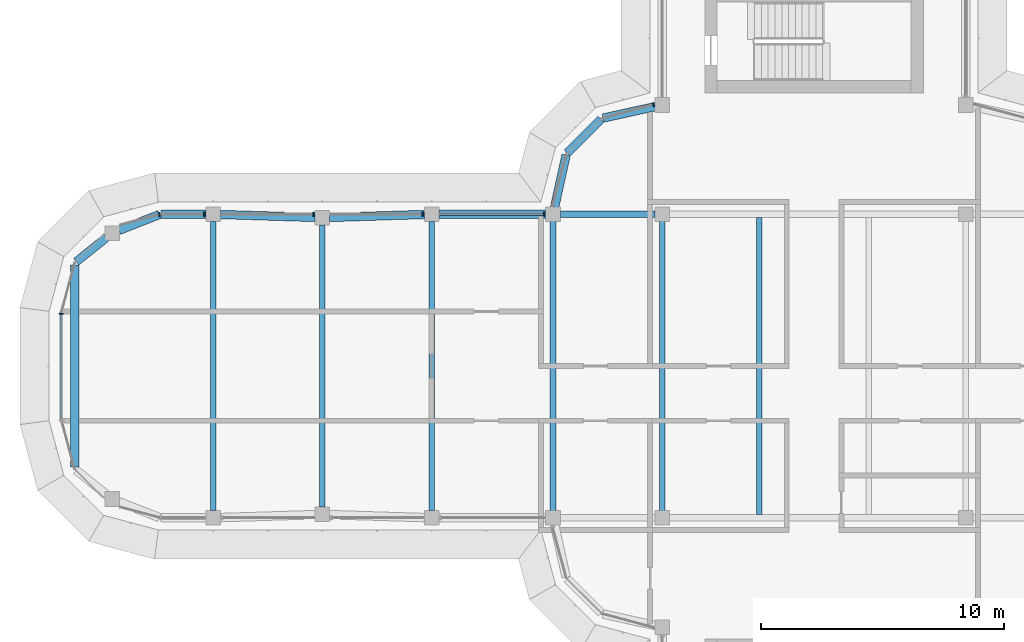
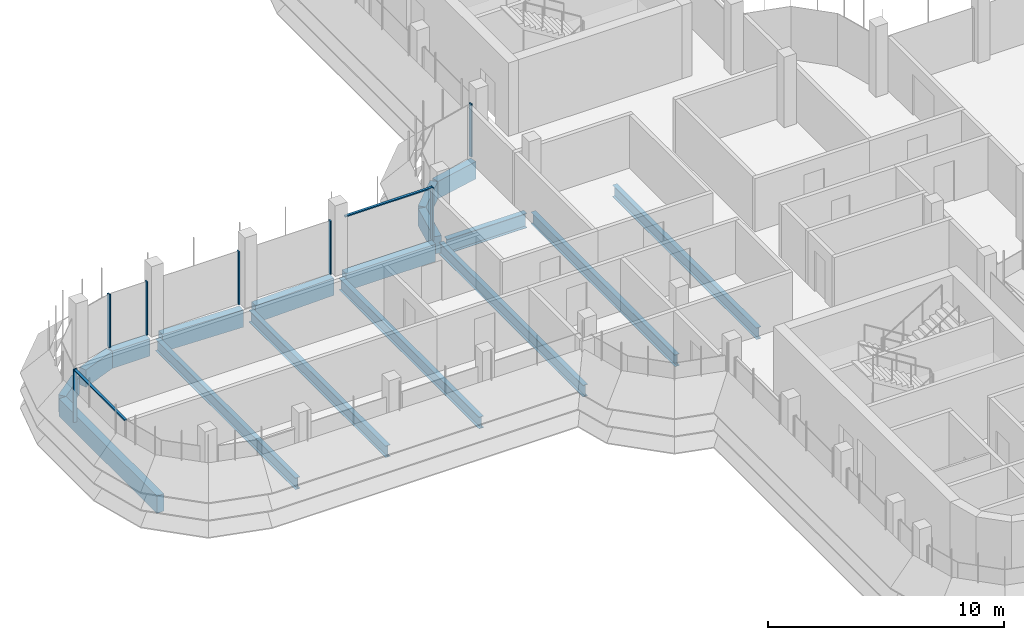
# One storey, part 6 of 19: 17 beams, 9 members, 4 elements without a shape of their own.
"""IFC4 building model written with IfcOpenShell, lengths in metres."""

from ifc_helpers import new_model, si_unit, direction, frame, origin, origin_2d, place, context, subcontext, project, spatial, polyline, rectangle, i_section, outline, extrude, source, transform, mapped, material, material_profile, profile_set, type_object, element, aggregate, save


model = new_model("IFC4")

# Units and contexts
model_context = context("Model", 3, precision=1e-05, world=origin(), true_north=direction((0.0, 1.0)))
body_context = subcontext(model_context, "Body", "Model", "MODEL_VIEW")
ifc_project = project(units=[si_unit("LENGTHUNIT", "METRE"), si_unit("AREAUNIT", "SQUARE_METRE"), si_unit("VOLUMEUNIT", "CUBIC_METRE"), si_unit("PLANEANGLEUNIT", "RADIAN"), si_unit("MASSUNIT", "GRAM", prefix="KILO")], contexts=[model_context])

# Site, building, storey
site_placement = place(None, origin())
site = spatial("IfcSite", under=ifc_project, at=site_placement, CompositionType="ELEMENT")
building_placement = place(site_placement, origin())
building = spatial("IfcBuilding", under=site, at=building_placement, Name="Zarbagh Exchange Tower", CompositionType="ELEMENT")
storey_placement = place(building_placement, frame((0.0, 0.0, 276.39990234375)))
storey = spatial("IfcBuildingStorey", under=building, at=storey_placement, Name="L68", CompositionType="ELEMENT", Elevation=276.39990234375)

# Beams
ifc_material_1 = material(Name="Steel ASTM A992 Gr 50", Category="steel")
ifc_material_profile_1 = material_profile(ifc_material_1, i_section(OverallWidth=0.228271484375, OverallDepth=0.607177734375, WebThickness=0.01123046875, FlangeThickness=0.017333984375, at=origin_2d()), Name="W24X76")
ifc_profile_set_1 = profile_set([ifc_material_profile_1], Name="Steel ASTM A992 Gr 50")
beam_type_1 = type_object("IfcBeamType", Name="Floor beam W24X76", PredefinedType="BEAM", material=ifc_profile_set_1)
for number, where, z_axis, x_axis, name in (
    (1, (-10.75, -6.11669921875, -0.453369140625), (0.0, 1.0, 0.0), (-1.0, 0.0, 0.0), "Steel floor beam"),
    (2, (-6.25, -6.11669921875, -0.453369140625), (0.0, 1.0, 0.0), (-1.0, 0.0, 0.0), "Steel floor beam"),
    (3, (-2.25, -6.11669921875, -0.453369140625), (0.0, 1.0, 0.0), (-1.0, 0.0, 0.0), "Steel floor beam"),
):
    element("IfcBeam", number, at=place(storey_placement, frame(where, z_axis=z_axis, x_axis=x_axis)), inside=storey, type_object=beam_type_1, Name=name, PredefinedType="BEAM", context=body_context, shape_type="SweptSolid", body=[
        extrude(i_section(OverallWidth=0.228271484375, OverallDepth=0.607177734375, WebThickness=0.01123046875, FlangeThickness=0.017333984375, at=origin_2d()), origin(), (0.0, 0.0, 1.0), 12.2333984375),
    ])
beam_1_placement = place(storey_placement, frame((-15.75, -5.949951171875, -0.453369140625), z_axis=(0.0, 1.0, 0.0), x_axis=(-1.0, 0.0, 0.0)))
element("IfcBeam", 4, at=beam_1_placement, inside=storey, type_object=beam_type_1, Name="Steel floor beam", PredefinedType="BEAM", context=body_context, shape_type="SweptSolid", body=[
    extrude(i_section(OverallWidth=0.228271484375, OverallDepth=0.607177734375, WebThickness=0.01123046875, FlangeThickness=0.017333984375, at=origin_2d()), origin(), (0.0, 0.0, 1.0), 11.89990234375),
])
beam_2_placement = place(storey_placement, frame((-20.25, -5.81005859375, -0.453369140625), z_axis=(0.0, 1.0, 0.0), x_axis=(-1.0, 0.0, 0.0)))
element("IfcBeam", 5, at=beam_2_placement, inside=storey, type_object=beam_type_1, Name="Steel floor beam", PredefinedType="BEAM", context=body_context, shape_type="SweptSolid", body=[
    extrude(i_section(OverallWidth=0.228271484375, OverallDepth=0.607177734375, WebThickness=0.01123046875, FlangeThickness=0.017333984375, at=origin_2d()), origin(), (0.0, 0.0, 1.0), 11.6201171875),
])
beam_3_placement = place(storey_placement, frame((-24.75, -5.949951171875, -0.453369140625), z_axis=(0.0, 1.0, 0.0), x_axis=(-1.0, 0.0, 0.0)))
element("IfcBeam", 6, at=beam_3_placement, inside=storey, type_object=beam_type_1, Name="Steel floor beam", PredefinedType="BEAM", context=body_context, shape_type="SweptSolid", body=[
    extrude(i_section(OverallWidth=0.228271484375, OverallDepth=0.607177734375, WebThickness=0.01123046875, FlangeThickness=0.017333984375, at=origin_2d()), origin(), (0.0, 0.0, 1.0), 11.89990234375),
])
ifc_material_profile_2 = material_profile(ifc_material_1, i_section(OverallWidth=0.2666015625, OverallDepth=0.7568359375, WebThickness=0.013916015625, FlangeThickness=0.019287109375, at=origin_2d()), Name="W30X108")
ifc_profile_set_2 = profile_set([ifc_material_profile_2], Name="Steel ASTM A992 Gr 50")
beam_type_2 = type_object("IfcBeamType", Name="Floor girder W30X108", PredefinedType="BEAM", material=ifc_profile_set_2)
beam_4_placement = place(storey_placement, frame((-10.449951171875, 6.25, -0.5283203125), z_axis=(1.0, 0.0, 0.0), x_axis=(0.0, 1.0, 0.0)))
element("IfcBeam", 7, at=beam_4_placement, inside=storey, type_object=beam_type_2, Name="Steel girder", PredefinedType="BEAM", context=body_context, shape_type="SweptSolid", body=[
    extrude(i_section(OverallWidth=0.2666015625, OverallDepth=0.7568359375, WebThickness=0.013916015625, FlangeThickness=0.019287109375, at=origin_2d()), origin(), (0.0, 0.0, 1.0), 3.89990234375),
])
ifc_material_2 = material(Name="Concrete C40/50", Category="concrete")
ifc_material_profile_3 = material_profile(ifc_material_2, rectangle(XDim=0.35009765625, YDim=0.89990234375, at=origin_2d()), Name="RC spandrel beam 350 x 900 C40/50")
ifc_profile_set_3 = profile_set([ifc_material_profile_3], Name="Concrete C40/50")
beam_type_3 = type_object("IfcBeamType", Name="RC spandrel beam 350 x 900 C40/50", PredefinedType="SPANDREL", material=ifc_profile_set_3)
beam_5_placement = place(storey_placement, frame((-30.44873046875, -4.156982421875, -0.599853515625), z_axis=(0.0, 1.0, 0.0), x_axis=(-1.0, 0.0, 0.0)))
element("IfcBeam", 8, at=beam_5_placement, inside=storey, type_object=beam_type_3, Name="RC spandrel beam", PredefinedType="SPANDREL", context=body_context, shape_type="SweptSolid", body=[
    extrude(rectangle(XDim=0.35009765625, YDim=0.89990234375, at=origin_2d()), origin(), (0.0, 0.0, 1.0), 8.31396484375),
])
beam_6_placement = place(storey_placement, frame((-30.38330078125, 4.293701171875, -0.599853515625), z_axis=(0.780584122498, 0.625050740104, 0.0), x_axis=(-0.625050740104, 0.780584122498, 0.0)))
element("IfcBeam", 9, at=beam_6_placement, inside=storey, type_object=beam_type_3, Name="RC spandrel beam", PredefinedType="SPANDREL", context=body_context, shape_type="SweptSolid", body=[
    extrude(rectangle(XDim=0.35009765625, YDim=0.89990234375, at=origin_2d()), origin(), (0.0, 0.0, 1.0), 1.590087890625),
])
beam_7_placement = place(storey_placement, frame((-28.62890625, 5.584716796875, -0.599853515625), z_axis=(0.930859366381, 0.365377667655, 0.0), x_axis=(-0.365377667655, 0.930859366381, 0.0)))
element("IfcBeam", 10, at=beam_7_placement, inside=storey, type_object=beam_type_3, Name="RC spandrel beam", PredefinedType="SPANDREL", context=body_context, shape_type="SweptSolid", body=[
    extrude(rectangle(XDim=0.35009765625, YDim=0.89990234375, at=origin_2d()), origin(), (0.0, 0.0, 1.0), 1.787353515625),
])
beam_8_placement = place(storey_placement, frame((-26.90087890625, 6.25, -0.599853515625), z_axis=(1.0, 0.0, 0.0), x_axis=(0.0, 1.0, 0.0)))
element("IfcBeam", 11, at=beam_8_placement, inside=storey, type_object=beam_type_3, Name="RC spandrel beam", PredefinedType="SPANDREL", context=body_context, shape_type="SweptSolid", body=[
    extrude(rectangle(XDim=0.35009765625, YDim=0.89990234375, at=origin_2d()), origin(), (0.0, 0.0, 1.0), 1.850830078125),
])
for number, where, z_axis, x_axis, name in (
    (12, (-24.4501953125, 6.24072265625, -0.599853515625), (0.999516460907, -0.031094121249, 0.0), (0.031094121249, 0.999516460907, 0.0), "RC spandrel beam"),
    (13, (-19.9501953125, 6.119384765625, -0.599853515625), (0.999516460907, 0.031094121249, 0.0), (-0.031094121249, 0.999516460907, 0.0), "RC spandrel beam"),
):
    element("IfcBeam", number, at=place(storey_placement, frame(where, z_axis=z_axis, x_axis=x_axis)), inside=storey, type_object=beam_type_3, Name=name, PredefinedType="SPANDREL", context=body_context, shape_type="SweptSolid", body=[
        extrude(rectangle(XDim=0.35009765625, YDim=0.89990234375, at=origin_2d()), origin(), (0.0, 0.0, 1.0), 3.90234375),
    ])
beam_9_placement = place(storey_placement, frame((-15.449951171875, 6.25, -0.599853515625), z_axis=(1.0, 0.0, 0.0), x_axis=(0.0, 1.0, 0.0)))
element("IfcBeam", 14, at=beam_9_placement, inside=storey, type_object=beam_type_3, Name="RC spandrel beam", PredefinedType="SPANDREL", context=body_context, shape_type="SweptSolid", body=[
    extrude(rectangle(XDim=0.35009765625, YDim=0.89990234375, at=origin_2d()), origin(), (0.0, 0.0, 1.0), 4.39990234375),
])
beam_10_placement = place(storey_placement, frame((-10.685302734375, 6.54296875, -0.599853515625), z_axis=(0.216025770228, 0.976387662047, 0.0), x_axis=(-0.976387662047, 0.216025770228, 0.0)))
element("IfcBeam", 15, at=beam_10_placement, inside=storey, type_object=beam_type_3, Name="RC spandrel beam", PredefinedType="SPANDREL", context=body_context, shape_type="SweptSolid", body=[
    extrude(rectangle(XDim=0.35009765625, YDim=0.89990234375, at=origin_2d()), origin(), (0.0, 0.0, 1.0), 2.200439453125),
])
beam_11_placement = place(storey_placement, frame((-10.16259765625, 8.77734375, -0.599853515625), z_axis=(0.707106781187, 0.707106781187, 0.0), x_axis=(-0.707106781187, 0.707106781187, 0.0)))
element("IfcBeam", 16, at=beam_11_placement, inside=storey, type_object=beam_type_3, Name="RC spandrel beam", PredefinedType="SPANDREL", context=body_context, shape_type="SweptSolid", body=[
    extrude(rectangle(XDim=0.35009765625, YDim=0.89990234375, at=origin_2d()), origin(), (0.0, 0.0, 1.0), 1.958984375),
])
beam_12_placement = place(storey_placement, frame((-8.69140625, 10.2099609375, -0.599853515625), z_axis=(0.976387662047, 0.216025770228, 0.0), x_axis=(-0.216025770228, 0.976387662047, 0.0)))
element("IfcBeam", 17, at=beam_12_placement, inside=storey, type_object=beam_type_3, Name="RC spandrel beam", PredefinedType="SPANDREL", context=body_context, shape_type="SweptSolid", body=[
    extrude(rectangle(XDim=0.35009765625, YDim=0.89990234375, at=origin_2d()), origin(), (0.0, 0.0, 1.0), 2.200439453125),
])

# Curtain wall, member
ifc_material_3 = material(Name="Anodised aluminium frame and glazing", Category="aluminium")
curtain_wall_type = type_object("IfcCurtainWallType", Name="CWB Ribbon glazing, upper zones", PredefinedType="NOTDEFINED", material=ifc_material_3)
curtain_wall_1_placement = place(storey_placement, origin())
curtain_wall_1 = element("IfcCurtainWall", 18, at=curtain_wall_1_placement, inside=storey, type_object=curtain_wall_type, Name="CWB29 curtain wall", PredefinedType="NOTDEFINED")
ifc_material_4 = material(Name="Anodised aluminium frame", Category="aluminium")
member_type_1 = type_object("IfcMemberType", Name="MUB Mullion, anodised aluminium frame", PredefinedType="MULLION", material=ifc_material_4)
shared_shape_1 = source(origin(), body_context, "Body", "SweptSolid", [
    extrude(outline(polyline([(0.0, -0.080078125), (0.06005859375, -0.080078125), (0.06005859375, 0.080078125), (0.0, 0.080078125), (0.0, -0.080078125)])), origin(), (0.0, 0.0, 1.0), 2.75),
])
placement = place(storey_placement, origin())
member_1 = element("IfcMember", 19, at=placement, type_object=member_type_1, Name="CWB29 mullion 1.1", PredefinedType="MULLION", context=body_context, shape_type="MappedRepresentation", body=[
    mapped(shared_shape_1, transform((-6.590087890625, 10.775146484375, 0.0), x_axis=(-0.965924289636, -0.258824779902, 0.0), y_axis=(0.258824779902, -0.965924289636, 0.0), z_axis=(0.0, 0.0, 1.0))),
])
aggregate(curtain_wall_1, [member_1])

# Curtain wall, members
curtain_wall_2_placement = place(storey_placement, origin())
curtain_wall_2 = element("IfcCurtainWall", 20, at=curtain_wall_2_placement, inside=storey, type_object=curtain_wall_type, Name="CWB58 curtain wall", PredefinedType="NOTDEFINED")
member_2 = element("IfcMember", 21, at=placement, type_object=member_type_1, Name="CWB58 mullion 1.1", PredefinedType="MULLION", context=body_context, shape_type="MappedRepresentation", body=[
    mapped(shared_shape_1, transform((-11.090087890625, 6.25, 0.0), x_axis=(-1.0, 0.0, 0.0), y_axis=(0.0, -1.0, 0.0), z_axis=(0.0, 0.0, 1.0))),
])
member_3 = element("IfcMember", 22, at=placement, type_object=member_type_1, Name="CWB58 mullion 2.1", PredefinedType="MULLION", context=body_context, shape_type="MappedRepresentation", body=[
    mapped(shared_shape_1, transform((-16.090087890625, 6.25, 0.0), x_axis=(-1.0, 0.0, 0.0), y_axis=(0.0, -1.0, 0.0), z_axis=(0.0, 0.0, 1.0))),
])
member_4 = element("IfcMember", 23, at=placement, type_object=member_type_1, Name="CWB58 mullion 3.1", PredefinedType="MULLION", context=body_context, shape_type="MappedRepresentation", body=[
    mapped(shared_shape_1, transform((-20.590087890625, 6.25, 0.0), x_axis=(-1.0, 0.0, 0.0), y_axis=(0.0, -1.0, 0.0), z_axis=(0.0, 0.0, 1.0))),
])
member_5 = element("IfcMember", 24, at=placement, type_object=member_type_1, Name="CWB58 mullion 4.1", PredefinedType="MULLION", context=body_context, shape_type="MappedRepresentation", body=[
    mapped(shared_shape_1, transform((-25.090087890625, 6.25, 0.0), x_axis=(-1.0, 0.0, 0.0), y_axis=(0.0, -1.0, 0.0), z_axis=(0.0, 0.0, 1.0))),
])

# Curtain wall, member
curtain_wall_3_placement = place(storey_placement, origin())
curtain_wall_3 = element("IfcCurtainWall", 25, at=curtain_wall_3_placement, inside=storey, type_object=curtain_wall_type, Name="CWB59 curtain wall", PredefinedType="NOTDEFINED")
member_6 = element("IfcMember", 26, at=placement, type_object=member_type_1, Name="CWB59 mullion 1.1", PredefinedType="MULLION", context=body_context, shape_type="MappedRepresentation", body=[
    mapped(shared_shape_1, transform((-26.93408203125, 6.25, 0.0), x_axis=(-0.965924289636, -0.258824779902, 0.0), y_axis=(0.258824779902, -0.965924289636, 0.0), z_axis=(0.0, 0.0, 1.0))),
])
aggregate(curtain_wall_3, [member_6])

# Curtain wall, members
curtain_wall_4_placement = place(storey_placement, origin())
curtain_wall_4 = element("IfcCurtainWall", 27, at=curtain_wall_4_placement, inside=storey, type_object=curtain_wall_type, Name="CWB66 curtain wall", PredefinedType="NOTDEFINED")
member_7 = element("IfcMember", 28, at=placement, type_object=member_type_1, Name="CWB66 mullion 1.1", PredefinedType="MULLION", context=body_context, shape_type="MappedRepresentation", body=[
    mapped(shared_shape_1, transform((-31.0, 2.18408203125, 0.0), x_axis=(0.0, -1.0, 0.0), y_axis=(1.0, 0.0, 0.0), z_axis=(0.0, 0.0, 1.0))),
])
member_type_2 = type_object("IfcMemberType", Name="TRB Transom, anodised aluminium frame", PredefinedType="USERDEFINED", material=ifc_material_4)
shared_shape_2 = source(origin(), body_context, "Body", "SweptSolid", [
    extrude(outline(polyline([(-0.06005859375, -0.06005859375), (0.0, -0.06005859375), (0.0, 0.06005859375), (-0.06005859375, 0.06005859375), (-0.06005859375, -0.06005859375)])), origin(), (0.0, 0.0, 1.0), 4.308349609375),
])
member_8 = element("IfcMember", 29, at=placement, type_object=member_type_2, Name="CWB66 transom 1.1", ObjectType="TRANSOM", PredefinedType="USERDEFINED", context=body_context, shape_type="MappedRepresentation", body=[
    mapped(shared_shape_2, transform((-31.0, 2.124267578125, 2.75), x_axis=(0.0, 0.0, 1.0), y_axis=(-1.0, 0.0, 0.0), z_axis=(0.0, -1.0, 0.0))),
])
aggregate(curtain_wall_4, [member_7, member_8])

# Member
shared_shape_3 = source(origin(), body_context, "Body", "SweptSolid", [
    extrude(outline(polyline([(-0.06005859375, -0.06005859375), (0.0, -0.06005859375), (0.0, 0.06005859375), (-0.06005859375, 0.06005859375), (-0.06005859375, -0.06005859375)])), origin(), (0.0, 0.0, 1.0), 4.260009765625),
])
member_9 = element("IfcMember", 30, at=placement, type_object=member_type_2, Name="CWB58 transom 1.1", ObjectType="TRANSOM", PredefinedType="USERDEFINED", context=body_context, shape_type="MappedRepresentation", body=[
    mapped(shared_shape_3, transform((-11.150146484375, 6.25, 2.75), x_axis=(0.0, 0.0, 1.0), y_axis=(0.0, 1.0, 0.0), z_axis=(-1.0, 0.0, 0.0))),
])

aggregate(curtain_wall_2, [member_2, member_9, member_3, member_4, member_5])

save(model, "model.ifc")
